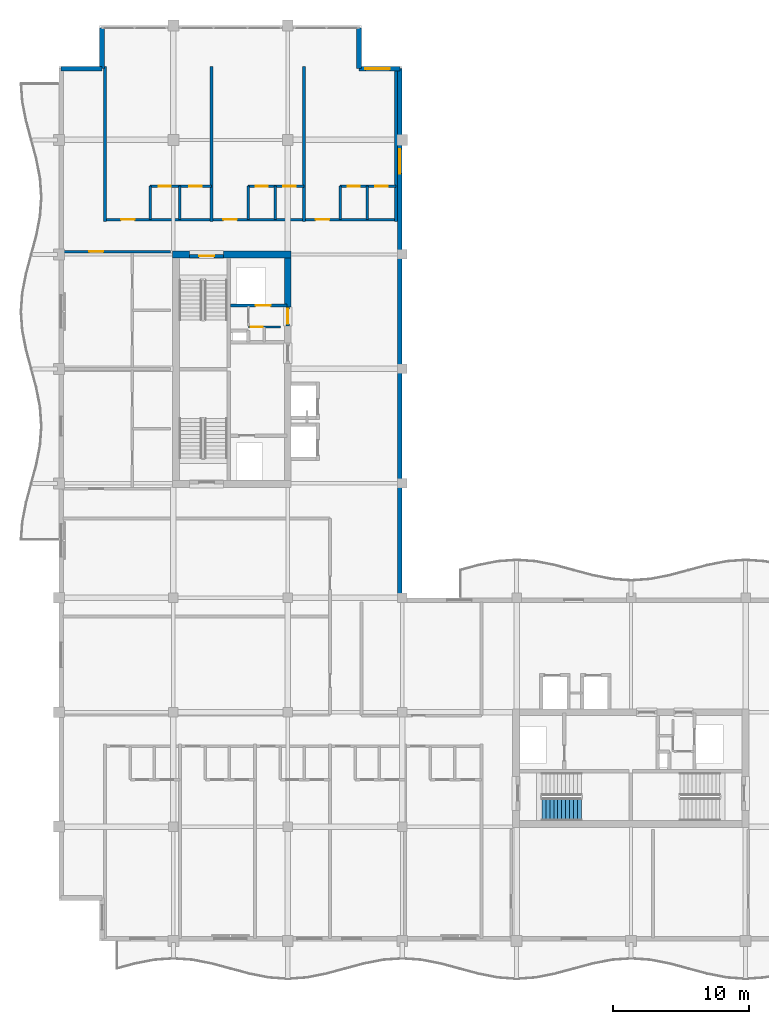
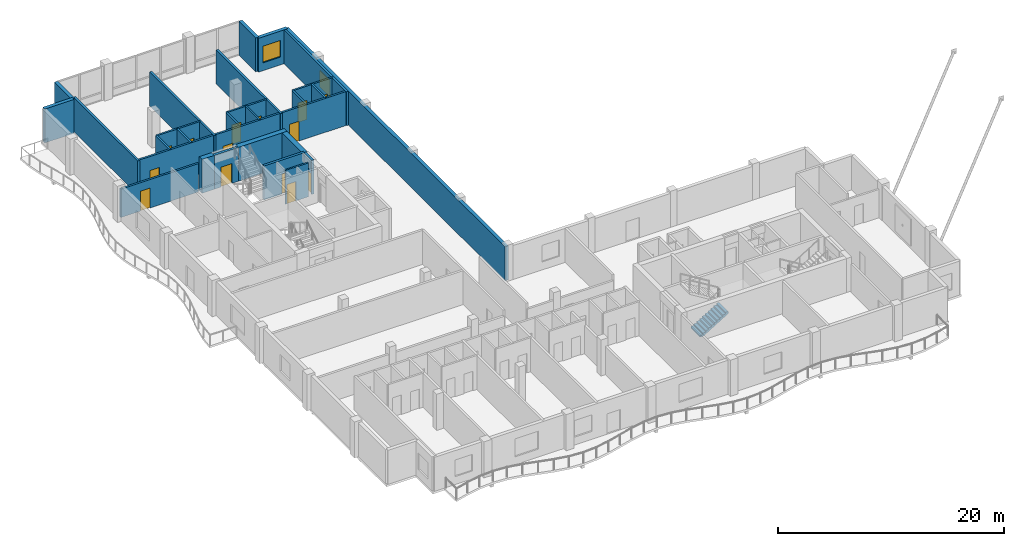
# One storey, part 11 of 17: 27 walls, 14 doors, 2 windows, 1 stair flight, 16 openings, 1 element without a shape of its own.
"""IFC4 building model written with IfcOpenShell, lengths in metres."""

from ifc_helpers import new_model, si_unit, direction, frame, frame_2d, origin, place, context, subcontext, project, spatial, polyline, rectangle, outline, extrude, material, layer, layer_set, type_object, element, fill, aggregate, save


model = new_model("IFC4")

# Units and contexts
model_context = context("Model", 3, precision=1e-05, world=origin(), true_north=direction((0.0, 1.0)))
body_context = subcontext(model_context, "Body", "Model", "MODEL_VIEW")
ifc_project = project(units=[si_unit("LENGTHUNIT", "METRE"), si_unit("AREAUNIT", "SQUARE_METRE"), si_unit("VOLUMEUNIT", "CUBIC_METRE"), si_unit("PLANEANGLEUNIT", "RADIAN"), si_unit("MASSUNIT", "GRAM", prefix="KILO")], contexts=[model_context])

# Site, building, storey
site_placement = place(None, origin())
site = spatial("IfcSite", under=ifc_project, at=site_placement, CompositionType="ELEMENT")
building_placement = place(site_placement, origin())
building = spatial("IfcBuilding", under=site, at=building_placement, Name="Koriwani Terraces Tower", CompositionType="ELEMENT")
storey_placement = place(building_placement, frame((0.0, 0.0, 347.60009765625)))
storey = spatial("IfcBuildingStorey", under=building, at=storey_placement, Name="L86", CompositionType="ELEMENT", Elevation=347.60009765625)

# Walls
ifc_material_1 = material(Name="Concrete C50/60", Category="concrete")
ifc_layer_1 = layer(ifc_material_1, 0.5, Name="Concrete C50/60")
ifc_layer_set_1 = layer_set([ifc_layer_1], Name="Concrete C50/60")
wall_type_1 = type_object("IfcWallType", Name="WALL_CORE_RC_500", PredefinedType="SHEAR", material=ifc_layer_set_1)
wall_1_placement = place(storey_placement, frame((16.75, 58.800048828125, 0.0), z_axis=(0.0, 0.0, 1.0), x_axis=(1.0, 0.0, 0.0)))
element("IfcWall", 1, at=wall_1_placement, inside=storey, type_object=wall_type_1, Name="L86 West Split Core Shear Wall N1", PredefinedType="SHEAR", context=body_context, shape_type="SweptSolid", body=[
    extrude(rectangle(XDim=1.25, YDim=0.5, at=frame_2d((0.625, 0.0))), origin(), (0.0, 0.0, 1.0), 3.669921875),
])
wall_2_placement = place(storey_placement, frame((20.5, 58.800048828125, 0.0), z_axis=(0.0, 0.0, 1.0), x_axis=(1.0, 0.0, 0.0)))
element("IfcWall", 2, at=wall_2_placement, inside=storey, type_object=wall_type_1, Name="L86 West Split Core Shear Wall N2", PredefinedType="SHEAR", context=body_context, shape_type="SweptSolid", body=[
    extrude(rectangle(XDim=4.949951171875, YDim=0.5, at=frame_2d((2.47509765625, 0.0))), origin(), (0.0, 0.0, 1.0), 3.669921875),
])
wall_3_placement = place(storey_placement, frame((25.199951171875, 54.949951171875, 0.0), z_axis=(0.0, 0.0, 1.0), x_axis=(0.0, 1.0, 0.0)))
element("IfcWall", 3, at=wall_3_placement, inside=storey, type_object=wall_type_1, Name="L86 West Split Core Shear Wall E3", PredefinedType="SHEAR", context=body_context, shape_type="SweptSolid", body=[
    extrude(rectangle(XDim=3.60009765625, YDim=0.5, at=frame_2d((1.800048828125, 0.0))), origin(), (0.0, 0.0, 1.0), 3.669921875),
])

# Wall, opening, door
ifc_material_2 = material(Name="Autoclaved Cellular Concrete Blockwork", Category="masonry")
ifc_layer_2 = layer(ifc_material_2, 0.199951171875, Name="Autoclaved Cellular Concrete Blockwork")
ifc_layer_set_2 = layer_set([ifc_layer_2], Name="Autoclaved Cellular Concrete Blockwork")
wall_type_2 = type_object("IfcWallType", Name="WALL_CORRIDOR_200", PredefinedType="PARTITIONING", material=ifc_layer_set_2)
wall_4_placement = place(storey_placement, frame((8.64990234375, 59.0, 0.0), z_axis=(0.0, 0.0, 1.0), x_axis=(1.0, 0.0, 0.0)))
wall_4 = element("IfcWall", 4, at=wall_4_placement, inside=storey, type_object=wall_type_2, Name="L86 Interior Wall WRZ4-WN-L86", PredefinedType="PARTITIONING", context=body_context, shape_type="SweptSolid", body=[
    extrude(rectangle(XDim=7.9501953125, YDim=0.199951171875, at=frame_2d((3.97509765625, 0.0))), origin(), (0.0, 0.0, 1.0), 3.06982421875),
])
opening_1_placement = place(wall_4_placement, frame((2.0, 0.0, 0.0)))
opening_1 = element("IfcOpeningElement", 5, at=opening_1_placement, cuts=wall_4, Name="Opening D-05", PredefinedType="OPENING", context=body_context, shape_type="SweptSolid", body=[
    extrude(rectangle(XDim=1.0, YDim=2.14990234375, at=frame_2d((0.5, 1.074951171875))), frame((0.0, 0.10986328125, 0.0), z_axis=(0.0, -1.0, 0.0), x_axis=(1.0, 0.0, 0.0)), (0.0, 0.0, 1.0), 0.219970703125),
])
ifc_material_3 = material(Name="Architectural Oak Fire Door", Category="wood")
door_type_1 = type_object("IfcDoorType", Name="DOOR_SUITE_ENTRY_1000X2150", OperationType="NOTDEFINED", PredefinedType="DOOR", material=ifc_material_3)
door_1_placement = place(opening_1_placement, origin())
door_1 = element("IfcDoor", 6, at=door_1_placement, inside=storey, type_object=door_type_1, Name="Apartment 86RW2 Entrance Door", OperationType="SINGLE_SWING_RIGHT", OverallHeight=2.14990234375, OverallWidth=1.0, PredefinedType="DOOR", context=body_context, shape_type="SweptSolid", body=[
    extrude(rectangle(XDim=1.0, YDim=2.14990234375, at=frame_2d((0.5, 1.074951171875))), frame((0.0, 0.02490234375, 0.0), z_axis=(0.0, -1.0, 0.0), x_axis=(1.0, 0.0, 0.0)), (0.0, 0.0, 1.0), 0.050048828125),
])
fill(opening_1, door_1)

# Wall, openings, doors
wall_5_placement = place(storey_placement, frame((11.800048828125, 61.35009765625, 0.0), z_axis=(0.0, 0.0, 1.0), x_axis=(1.0, 0.0, 0.0)))
wall_5 = element("IfcWall", 7, at=wall_5_placement, inside=storey, type_object=wall_type_2, Name="L86 Interior Wall WRCOR-L86-NTS-0", PredefinedType="PARTITIONING", context=body_context, shape_type="SweptSolid", body=[
    extrude(rectangle(XDim=21.349853515625, YDim=0.199951171875, at=frame_2d((10.6748046875, 0.0))), origin(), (0.0, 0.0, 1.0), 3.669921875),
])
opening_2_placement = place(wall_5_placement, frame((1.169921875, 0.0, 0.0)))
opening_2 = element("IfcOpeningElement", 8, at=opening_2_placement, cuts=wall_5, Name="Opening D-05", PredefinedType="OPENING", context=body_context, shape_type="SweptSolid", body=[
    extrude(rectangle(XDim=1.0, YDim=2.14990234375, at=frame_2d((0.5, 1.074951171875))), frame((0.0, 0.10986328125, 0.0), z_axis=(0.0, -1.0, 0.0), x_axis=(1.0, 0.0, 0.0)), (0.0, 0.0, 1.0), 0.219970703125),
])
opening_3_placement = place(wall_5_placement, frame((8.669921875, 0.0, 0.0)))
opening_3 = element("IfcOpeningElement", 9, at=opening_3_placement, cuts=wall_5, Name="Opening D-05", PredefinedType="OPENING", context=body_context, shape_type="SweptSolid", body=[
    extrude(rectangle(XDim=1.0, YDim=2.14990234375, at=frame_2d((0.5, 1.074951171875))), frame((0.0, 0.10986328125, 0.0), z_axis=(0.0, -1.0, 0.0), x_axis=(1.0, 0.0, 0.0)), (0.0, 0.0, 1.0), 0.219970703125),
])
opening_4_placement = place(wall_5_placement, frame((15.445068359375, 0.0, 0.0)))
opening_4 = element("IfcOpeningElement", 10, at=opening_4_placement, cuts=wall_5, Name="Opening D-05", PredefinedType="OPENING", context=body_context, shape_type="SweptSolid", body=[
    extrude(rectangle(XDim=1.0, YDim=2.14990234375, at=frame_2d((0.5, 1.074951171875))), frame((0.0, 0.10986328125, 0.0), z_axis=(0.0, -1.0, 0.0), x_axis=(1.0, 0.0, 0.0)), (0.0, 0.0, 1.0), 0.219970703125),
])
door_2_placement = place(opening_2_placement, origin())
door_2 = element("IfcDoor", 11, at=door_2_placement, inside=storey, type_object=door_type_1, Name="Apartment 86NTS1 Entrance Door", OperationType="SINGLE_SWING_RIGHT", OverallHeight=2.14990234375, OverallWidth=1.0, PredefinedType="DOOR", context=body_context, shape_type="SweptSolid", body=[
    extrude(rectangle(XDim=1.0, YDim=2.14990234375, at=frame_2d((0.5, 1.074951171875))), frame((0.0, 0.02490234375, 0.0), z_axis=(0.0, -1.0, 0.0), x_axis=(1.0, 0.0, 0.0)), (0.0, 0.0, 1.0), 0.050048828125),
])
fill(opening_2, door_2)
door_3_placement = place(opening_3_placement, origin())
door_3 = element("IfcDoor", 12, at=door_3_placement, inside=storey, type_object=door_type_1, Name="Apartment 86NTS2 Entrance Door", OperationType="SINGLE_SWING_LEFT", OverallHeight=2.14990234375, OverallWidth=1.0, PredefinedType="DOOR", context=body_context, shape_type="SweptSolid", body=[
    extrude(rectangle(XDim=1.0, YDim=2.14990234375, at=frame_2d((0.5, 1.074951171875))), frame((0.0, 0.02490234375, 0.0), z_axis=(0.0, -1.0, 0.0), x_axis=(1.0, 0.0, 0.0)), (0.0, 0.0, 1.0), 0.050048828125),
])
fill(opening_3, door_3)
door_4_placement = place(opening_4_placement, origin())
door_4 = element("IfcDoor", 13, at=door_4_placement, inside=storey, type_object=door_type_1, Name="Apartment 86NTS3 Entrance Door", OperationType="SINGLE_SWING_RIGHT", OverallHeight=2.14990234375, OverallWidth=1.0, PredefinedType="DOOR", context=body_context, shape_type="SweptSolid", body=[
    extrude(rectangle(XDim=1.0, YDim=2.14990234375, at=frame_2d((0.5, 1.074951171875))), frame((0.0, 0.02490234375, 0.0), z_axis=(0.0, -1.0, 0.0), x_axis=(1.0, 0.0, 0.0)), (0.0, 0.0, 1.0), 0.050048828125),
])
fill(opening_4, door_4)

# Walls
ifc_layer_3 = layer(ifc_material_2, 0.219970703125, Name="Autoclaved Cellular Concrete Blockwork")
ifc_layer_set_3 = layer_set([ifc_layer_3], Name="Autoclaved Cellular Concrete Blockwork")
wall_type_3 = type_object("IfcWallType", Name="WALL_DEMISING_220", PredefinedType="PARTITIONING", material=ifc_layer_set_3)
for number, where, z_axis, x_axis, name in (
    (14, (11.800048828125, 61.199951171875, 0.0), (0.0, 0.0, 1.0), (0.0, 1.0, 0.0), "L86 Interior Wall WRDEM-L86-NTS-0"),
    (15, (19.60009765625, 61.199951171875, 0.0), (0.0, 0.0, 1.0), (0.0, 1.0, 0.0), "L86 Interior Wall WRDEM-L86-NTS-1"),
    (16, (26.39990234375, 61.199951171875, 0.0), (0.0, 0.0, 1.0), (0.0, 1.0, 0.0), "L86 Interior Wall WRDEM-L86-NTS-2"),
    (17, (33.14990234375, 61.199951171875, 0.0), (0.0, 0.0, 1.0), (0.0, 1.0, 0.0), "L86 Interior Wall WRDEME-L86-NTS"),
):
    element("IfcWall", number, at=place(storey_placement, frame(where, z_axis=z_axis, x_axis=x_axis)), inside=storey, type_object=wall_type_3, Name=name, PredefinedType="PARTITIONING", context=body_context, shape_type="SweptSolid", body=[
        extrude(rectangle(XDim=11.380126953125, YDim=0.219970703125, at=frame_2d((5.68994140625, 0.0))), origin(), (0.0, 0.0, 1.0), 3.669921875),
    ])
ifc_layer_4 = layer(ifc_material_1, 0.35009765625, Name="Concrete C50/60")
ifc_layer_set_4 = layer_set([ifc_layer_4], Name="Concrete C50/60")
wall_type_4 = type_object("IfcWallType", Name="WALL_EXT_BRUTALIST_350", PredefinedType="STANDARD", material=ifc_layer_set_4)
for number, where, z_axis, x_axis, name in (
    (18, (8.574951171875, 72.425048828125, 0.0), (0.0, 0.0, 1.0), (1.0, 0.0, 0.0), "L86 Fair-Faced Brutalist Exterior Wall (N3)"),
    (19, (11.574951171875, 72.425048828125, 0.0), (0.0, 0.0, 1.0), (0.0, 1.0, 0.0), "L86 Fair-Faced Brutalist Exterior Wall (N4)"),
    (20, (30.425048828125, 75.425048828125, 0.0), (0.0, 0.0, 1.0), (0.0, -1.0, 0.0), "L86 Fair-Faced Brutalist Exterior Wall (N6)"),
):
    element("IfcWall", number, at=place(storey_placement, frame(where, z_axis=z_axis, x_axis=x_axis)), inside=storey, type_object=wall_type_4, Name=name, PredefinedType="STANDARD", context=body_context, shape_type="SweptSolid", body=[
        extrude(rectangle(XDim=3.0, YDim=0.35009765625, at=frame_2d((1.5, 0.0))), origin(), (0.0, 0.0, 1.0), 3.669921875),
    ])

# Wall, opening, window
wall_6_placement = place(storey_placement, frame((30.425048828125, 72.425048828125, 0.0), z_axis=(0.0, 0.0, 1.0), x_axis=(1.0, 0.0, 0.0)))
wall_6 = element("IfcWall", 21, at=wall_6_placement, inside=storey, type_object=wall_type_4, Name="L86 Fair-Faced Brutalist Exterior Wall (N7)", PredefinedType="STANDARD", context=body_context, shape_type="SweptSolid", body=[
    extrude(rectangle(XDim=3.0, YDim=0.35009765625, at=frame_2d((1.5, 0.0))), origin(), (0.0, 0.0, 1.0), 3.669921875),
])
opening_5_placement = place(wall_6_placement, frame((0.472412109375, 0.0, 0.85009765625)))
opening_5 = element("IfcOpeningElement", 22, at=opening_5_placement, cuts=wall_6, Name="Opening W-04", PredefinedType="OPENING", context=body_context, shape_type="SweptSolid", body=[
    extrude(rectangle(XDim=1.800048828125, YDim=1.800048828125, at=frame_2d((0.89990234375, 0.89990234375))), frame((0.0, 0.18505859375, 0.0), z_axis=(0.0, -1.0, 0.0), x_axis=(1.0, 0.0, 0.0)), (0.0, 0.0, 1.0), 0.3701171875),
])
ifc_material_4 = material(Name="Tempered Laminated Low-E Glass", Category="glass")
window_type = type_object("IfcWindowType", Name="WIN_RES_BED_1800X1800", PartitioningType="DOUBLE_PANEL_VERTICAL", PredefinedType="WINDOW", material=ifc_material_4)
window_1_placement = place(opening_5_placement, origin())
window_1 = element("IfcWindow", 23, at=window_1_placement, inside=storey, type_object=window_type, Name="L86 Exterior Window (N7-R56)", OverallHeight=1.800048828125, OverallWidth=1.800048828125, PartitioningType="SINGLE_PANEL", PredefinedType="WINDOW", context=body_context, shape_type="SweptSolid", body=[
    extrude(rectangle(XDim=1.800048828125, YDim=1.800048828125, at=frame_2d((0.89990234375, 0.89990234375))), frame((0.0, 0.030029296875, 0.0), z_axis=(0.0, -1.0, 0.0), x_axis=(1.0, 0.0, 0.0)), (0.0, 0.0, 1.0), 0.06005859375),
])
fill(opening_5, window_1)

wall_7_placement = place(storey_placement, frame((33.425048828125, 72.425048828125, 0.0), z_axis=(0.0, 0.0, 1.0), x_axis=(0.0, -1.0, 0.0)))
wall_7 = element("IfcWall", 24, at=wall_7_placement, inside=storey, type_object=wall_type_4, Name="L86 Fair-Faced Brutalist Exterior Wall (NW_IN)", PredefinedType="STANDARD", context=body_context, shape_type="SweptSolid", body=[
    extrude(rectangle(XDim=39.0, YDim=0.35009765625, at=frame_2d((19.5, 0.0))), origin(), (0.0, 0.0, 1.0), 3.669921875),
])
opening_6_placement = place(wall_7_placement, frame((5.89990234375, 0.0, 0.85009765625)))
opening_6 = element("IfcOpeningElement", 25, at=opening_6_placement, cuts=wall_7, Name="Opening W-04", PredefinedType="OPENING", context=body_context, shape_type="SweptSolid", body=[
    extrude(rectangle(XDim=1.800048828125, YDim=1.800048828125, at=frame_2d((0.89990234375, 0.89990234375))), frame((0.0, 0.18505859375, 0.0), z_axis=(0.0, -1.0, 0.0), x_axis=(1.0, 0.0, 0.0)), (0.0, 0.0, 1.0), 0.3701171875),
])
window_2_placement = place(opening_6_placement, origin())
window_2 = element("IfcWindow", 26, at=window_2_placement, inside=storey, type_object=window_type, Name="L86 Exterior Window (NW_IN-R56)", OverallHeight=1.800048828125, OverallWidth=1.800048828125, PartitioningType="SINGLE_PANEL", PredefinedType="WINDOW", context=body_context, shape_type="SweptSolid", body=[
    extrude(rectangle(XDim=1.800048828125, YDim=1.800048828125, at=frame_2d((0.89990234375, 0.89990234375))), frame((0.0, 0.030029296875, 0.0), z_axis=(0.0, -1.0, 0.0), x_axis=(1.0, 0.0, 0.0)), (0.0, 0.0, 1.0), 0.06005859375),
])
fill(opening_6, window_2)

# Wall, openings, doors
ifc_material_5 = material(Name="Fire-Rated Acoustic Gypsum Partition", Category="masonry")
ifc_layer_5 = layer(ifc_material_5, 0.179931640625, Name="Fire-Rated Acoustic Gypsum Partition")
ifc_layer_set_5 = layer_set([ifc_layer_5], Name="Fire-Rated Acoustic Gypsum Partition")
wall_type_5 = type_object("IfcWallType", Name="WALL_PLUMBING_180", PredefinedType="PLUMBINGWALL", material=ifc_layer_set_5)
wall_8_placement = place(storey_placement, frame((15.10009765625, 63.800048828125, 0.0), z_axis=(0.0, 0.0, 1.0), x_axis=(1.0, 0.0, 0.0)))
wall_8 = element("IfcWall", 27, at=wall_8_placement, inside=storey, type_object=wall_type_5, Name="L86 Interior Wall WRSVC-L86-NTS-0", PredefinedType="PLUMBINGWALL", context=body_context, shape_type="SweptSolid", body=[
    extrude(rectangle(XDim=4.5, YDim=0.179931640625, at=frame_2d((2.25, 0.0))), origin(), (0.0, 0.0, 1.0), 3.669921875),
])
opening_7_placement = place(wall_8_placement, frame((0.6298828125, 0.0, 0.0)))
opening_7 = element("IfcOpeningElement", 28, at=opening_7_placement, cuts=wall_8, Name="Opening D-07", PredefinedType="OPENING", context=body_context, shape_type="SweptSolid", body=[
    extrude(rectangle(XDim=0.89990234375, YDim=2.10009765625, at=frame_2d((0.449951171875, 1.050048828125))), frame((0.0, 0.10009765625, 0.0), z_axis=(0.0, -1.0, 0.0), x_axis=(1.0, 0.0, 0.0)), (0.0, 0.0, 1.0), 0.199951171875),
])
opening_8_placement = place(wall_8_placement, frame((2.8701171875, 0.0, 0.0)))
opening_8 = element("IfcOpeningElement", 29, at=opening_8_placement, cuts=wall_8, Name="Opening D-06", PredefinedType="OPENING", context=body_context, shape_type="SweptSolid", body=[
    extrude(rectangle(XDim=0.919921875, YDim=2.10009765625, at=frame_2d((0.4599609375, 1.050048828125))), frame((0.0, 0.10009765625, 0.0), z_axis=(0.0, -1.0, 0.0), x_axis=(1.0, 0.0, 0.0)), (0.0, 0.0, 1.0), 0.199951171875),
])
door_type_2 = type_object("IfcDoorType", Name="DOOR_BATH_INT_900X2100", OperationType="NOTDEFINED", PredefinedType="DOOR", material=ifc_material_3)
door_5_placement = place(opening_7_placement, origin())
door_5 = element("IfcDoor", 30, at=door_5_placement, inside=storey, type_object=door_type_2, Name="Apartment 86NTS1 Bathroom Door", OperationType="SINGLE_SWING_LEFT", OverallHeight=2.10009765625, OverallWidth=0.89990234375, PredefinedType="DOOR", context=body_context, shape_type="SweptSolid", body=[
    extrude(rectangle(XDim=0.89990234375, YDim=2.10009765625, at=frame_2d((0.449951171875, 1.050048828125))), frame((0.0, 0.02490234375, 0.0), z_axis=(0.0, -1.0, 0.0), x_axis=(1.0, 0.0, 0.0)), (0.0, 0.0, 1.0), 0.050048828125),
])
fill(opening_7, door_5)
door_type_3 = type_object("IfcDoorType", Name="DOOR_ROOM_INT_920X2100", OperationType="NOTDEFINED", PredefinedType="DOOR", material=ifc_material_3)
door_6_placement = place(opening_8_placement, origin())
door_6 = element("IfcDoor", 31, at=door_6_placement, inside=storey, type_object=door_type_3, Name="Apartment 86NTS1 Kitchen Door", OperationType="SINGLE_SWING_RIGHT", OverallHeight=2.10009765625, OverallWidth=0.919921875, PredefinedType="DOOR", context=body_context, shape_type="SweptSolid", body=[
    extrude(rectangle(XDim=0.919921875, YDim=2.10009765625, at=frame_2d((0.4599609375, 1.050048828125))), frame((0.0, 0.02490234375, 0.0), z_axis=(0.0, -1.0, 0.0), x_axis=(1.0, 0.0, 0.0)), (0.0, 0.0, 1.0), 0.050048828125),
])
fill(opening_8, door_6)

# Walls
for number, where, z_axis, x_axis, name in (
    (32, (15.10009765625, 61.35009765625, 0.0), (0.0, 0.0, 1.0), (0.0, 1.0, 0.0), "L86 Interior Wall WRSVCS-L86-NTS-0"),
    (33, (17.260009765625, 61.35009765625, 0.0), (0.0, 0.0, 1.0), (0.0, 1.0, 0.0), "L86 Interior Wall WRSVCM-L86-NTS-0"),
):
    element("IfcWall", number, at=place(storey_placement, frame(where, z_axis=z_axis, x_axis=x_axis)), inside=storey, type_object=wall_type_5, Name=name, PredefinedType="PLUMBINGWALL", context=body_context, shape_type="SweptSolid", body=[
        extrude(rectangle(XDim=2.449951171875, YDim=0.179931640625, at=frame_2d((1.22509765625, 0.0))), origin(), (0.0, 0.0, 1.0), 3.669921875),
    ])

# Wall, openings, doors
wall_9_placement = place(storey_placement, frame((22.300048828125, 63.800048828125, 0.0), z_axis=(0.0, 0.0, 1.0), x_axis=(1.0, 0.0, 0.0)))
wall_9 = element("IfcWall", 34, at=wall_9_placement, inside=storey, type_object=wall_type_5, Name="L86 Interior Wall WRSVC-L86-NTS-1", PredefinedType="PLUMBINGWALL", context=body_context, shape_type="SweptSolid", body=[
    extrude(rectangle(XDim=4.099853515625, YDim=0.179931640625, at=frame_2d((2.0498046875, 0.0))), origin(), (0.0, 0.0, 1.0), 3.669921875),
])
opening_9_placement = place(wall_9_placement, frame((0.533935546875, 0.0, 0.0)))
opening_9 = element("IfcOpeningElement", 35, at=opening_9_placement, cuts=wall_9, Name="Opening D-07", PredefinedType="OPENING", context=body_context, shape_type="SweptSolid", body=[
    extrude(rectangle(XDim=0.89990234375, YDim=2.10009765625, at=frame_2d((0.449951171875, 1.050048828125))), frame((0.0, 0.10009765625, 0.0), z_axis=(0.0, -1.0, 0.0), x_axis=(1.0, 0.0, 0.0)), (0.0, 0.0, 1.0), 0.199951171875),
])
opening_10_placement = place(wall_9_placement, frame((2.573974609375, 0.0, 0.0)))
opening_10 = element("IfcOpeningElement", 36, at=opening_10_placement, cuts=wall_9, Name="Opening D-06", PredefinedType="OPENING", context=body_context, shape_type="SweptSolid", body=[
    extrude(rectangle(XDim=0.919921875, YDim=2.10009765625, at=frame_2d((0.4599609375, 1.050048828125))), frame((0.0, 0.10009765625, 0.0), z_axis=(0.0, -1.0, 0.0), x_axis=(1.0, 0.0, 0.0)), (0.0, 0.0, 1.0), 0.199951171875),
])
door_7_placement = place(opening_9_placement, origin())
door_7 = element("IfcDoor", 37, at=door_7_placement, inside=storey, type_object=door_type_2, Name="Apartment 86NTS2 Bathroom Door", OperationType="SINGLE_SWING_RIGHT", OverallHeight=2.10009765625, OverallWidth=0.89990234375, PredefinedType="DOOR", context=body_context, shape_type="SweptSolid", body=[
    extrude(rectangle(XDim=0.89990234375, YDim=2.10009765625, at=frame_2d((0.449951171875, 1.050048828125))), frame((0.0, 0.02490234375, 0.0), z_axis=(0.0, -1.0, 0.0), x_axis=(1.0, 0.0, 0.0)), (0.0, 0.0, 1.0), 0.050048828125),
])
fill(opening_9, door_7)
door_8_placement = place(opening_10_placement, origin())
door_8 = element("IfcDoor", 38, at=door_8_placement, inside=storey, type_object=door_type_3, Name="Apartment 86NTS2 Kitchen Door", OperationType="SINGLE_SWING_LEFT", OverallHeight=2.10009765625, OverallWidth=0.919921875, PredefinedType="DOOR", context=body_context, shape_type="SweptSolid", body=[
    extrude(rectangle(XDim=0.919921875, YDim=2.10009765625, at=frame_2d((0.4599609375, 1.050048828125))), frame((0.0, 0.02490234375, 0.0), z_axis=(0.0, -1.0, 0.0), x_axis=(1.0, 0.0, 0.0)), (0.0, 0.0, 1.0), 0.050048828125),
])
fill(opening_10, door_8)

# Walls
for number, where, z_axis, x_axis, name in (
    (39, (22.300048828125, 61.35009765625, 0.0), (0.0, 0.0, 1.0), (0.0, 1.0, 0.0), "L86 Interior Wall WRSVCS-L86-NTS-1"),
    (40, (24.26806640625, 61.35009765625, 0.0), (0.0, 0.0, 1.0), (0.0, 1.0, 0.0), "L86 Interior Wall WRSVCM-L86-NTS-1"),
):
    element("IfcWall", number, at=place(storey_placement, frame(where, z_axis=z_axis, x_axis=x_axis)), inside=storey, type_object=wall_type_5, Name=name, PredefinedType="PLUMBINGWALL", context=body_context, shape_type="SweptSolid", body=[
        extrude(rectangle(XDim=2.449951171875, YDim=0.179931640625, at=frame_2d((1.22509765625, 0.0))), origin(), (0.0, 0.0, 1.0), 3.669921875),
    ])

# Wall, openings, doors
wall_10_placement = place(storey_placement, frame((29.050048828125, 63.800048828125, 0.0), z_axis=(0.0, 0.0, 1.0), x_axis=(1.0, 0.0, 0.0)))
wall_10 = element("IfcWall", 41, at=wall_10_placement, inside=storey, type_object=wall_type_5, Name="L86 Interior Wall WRSVC-L86-NTS-2", PredefinedType="PLUMBINGWALL", context=body_context, shape_type="SweptSolid", body=[
    extrude(rectangle(XDim=4.099853515625, YDim=0.179931640625, at=frame_2d((2.0498046875, 0.0))), origin(), (0.0, 0.0, 1.0), 3.669921875),
])
opening_11_placement = place(wall_10_placement, frame((0.533935546875, 0.0, 0.0)))
opening_11 = element("IfcOpeningElement", 42, at=opening_11_placement, cuts=wall_10, Name="Opening D-07", PredefinedType="OPENING", context=body_context, shape_type="SweptSolid", body=[
    extrude(rectangle(XDim=0.89990234375, YDim=2.10009765625, at=frame_2d((0.449951171875, 1.050048828125))), frame((0.0, 0.10009765625, 0.0), z_axis=(0.0, -1.0, 0.0), x_axis=(1.0, 0.0, 0.0)), (0.0, 0.0, 1.0), 0.199951171875),
])
opening_12_placement = place(wall_10_placement, frame((2.573974609375, 0.0, 0.0)))
opening_12 = element("IfcOpeningElement", 43, at=opening_12_placement, cuts=wall_10, Name="Opening D-06", PredefinedType="OPENING", context=body_context, shape_type="SweptSolid", body=[
    extrude(rectangle(XDim=0.919921875, YDim=2.10009765625, at=frame_2d((0.4599609375, 1.050048828125))), frame((0.0, 0.10009765625, 0.0), z_axis=(0.0, -1.0, 0.0), x_axis=(1.0, 0.0, 0.0)), (0.0, 0.0, 1.0), 0.199951171875),
])
door_9_placement = place(opening_11_placement, origin())
door_9 = element("IfcDoor", 44, at=door_9_placement, inside=storey, type_object=door_type_2, Name="Apartment 86NTS3 Bathroom Door", OperationType="SINGLE_SWING_LEFT", OverallHeight=2.10009765625, OverallWidth=0.89990234375, PredefinedType="DOOR", context=body_context, shape_type="SweptSolid", body=[
    extrude(rectangle(XDim=0.89990234375, YDim=2.10009765625, at=frame_2d((0.449951171875, 1.050048828125))), frame((0.0, 0.02490234375, 0.0), z_axis=(0.0, -1.0, 0.0), x_axis=(1.0, 0.0, 0.0)), (0.0, 0.0, 1.0), 0.050048828125),
])
fill(opening_11, door_9)
door_10_placement = place(opening_12_placement, origin())
door_10 = element("IfcDoor", 45, at=door_10_placement, inside=storey, type_object=door_type_3, Name="Apartment 86NTS3 Kitchen Door", OperationType="SINGLE_SWING_RIGHT", OverallHeight=2.10009765625, OverallWidth=0.919921875, PredefinedType="DOOR", context=body_context, shape_type="SweptSolid", body=[
    extrude(rectangle(XDim=0.919921875, YDim=2.10009765625, at=frame_2d((0.4599609375, 1.050048828125))), frame((0.0, 0.02490234375, 0.0), z_axis=(0.0, -1.0, 0.0), x_axis=(1.0, 0.0, 0.0)), (0.0, 0.0, 1.0), 0.050048828125),
])
fill(opening_12, door_10)

# Walls
for number, where, z_axis, x_axis, name in (
    (46, (29.050048828125, 61.35009765625, 0.0), (0.0, 0.0, 1.0), (0.0, 1.0, 0.0), "L86 Interior Wall WRSVCS-L86-NTS-2"),
    (47, (31.01806640625, 61.35009765625, 0.0), (0.0, 0.0, 1.0), (0.0, 1.0, 0.0), "L86 Interior Wall WRSVCM-L86-NTS-2"),
):
    element("IfcWall", number, at=place(storey_placement, frame(where, z_axis=z_axis, x_axis=x_axis)), inside=storey, type_object=wall_type_5, Name=name, PredefinedType="PLUMBINGWALL", context=body_context, shape_type="SweptSolid", body=[
        extrude(rectangle(XDim=2.449951171875, YDim=0.179931640625, at=frame_2d((1.22509765625, 0.0))), origin(), (0.0, 0.0, 1.0), 3.669921875),
    ])

# Wall, opening, door
ifc_material_6 = material(Name="Concrete C40/50", Category="concrete")
ifc_layer_6 = layer(ifc_material_6, 0.25, Name="Concrete C40/50")
ifc_layer_set_6 = layer_set([ifc_layer_6], Name="Concrete C40/50")
wall_type_6 = type_object("IfcWallType", Name="WALL_SHAFT_RATED_250", PredefinedType="SOLIDWALL", material=ifc_layer_set_6)
wall_11_placement = place(storey_placement, frame((18.0, 58.675048828125, 0.0), z_axis=(0.0, 0.0, 1.0), x_axis=(1.0, 0.0, 0.0)))
wall_11 = element("IfcWall", 48, at=wall_11_placement, inside=storey, type_object=wall_type_6, Name="L86 Interior Wall WIN-CW-L86-STN", PredefinedType="SOLIDWALL", context=body_context, shape_type="SweptSolid", body=[
    extrude(rectangle(XDim=2.5, YDim=0.25, at=frame_2d((1.25, 0.0))), origin(), (0.0, 0.0, 1.0), 3.669921875),
])
opening_13_placement = place(wall_11_placement, frame((0.699951171875, 0.0, 0.0)))
opening_13 = element("IfcOpeningElement", 49, at=opening_13_placement, cuts=wall_11, Name="Opening D-03", PredefinedType="OPENING", context=body_context, shape_type="SweptSolid", body=[
    extrude(rectangle(XDim=1.10009765625, YDim=2.14990234375, at=frame_2d((0.550048828125, 1.074951171875))), frame((0.0, 0.135009765625, 0.0), z_axis=(0.0, -1.0, 0.0), x_axis=(1.0, 0.0, 0.0)), (0.0, 0.0, 1.0), 0.27001953125),
])
ifc_material_7 = material(Name="Steel ASTM A572 Grade 50", Category="steel")
door_type_4 = type_object("IfcDoorType", Name="DOOR_STAIR_FIRE_1100X2150", OperationType="NOTDEFINED", PredefinedType="DOOR", material=ifc_material_7)
door_11_placement = place(opening_13_placement, origin())
door_11 = element("IfcDoor", 50, at=door_11_placement, inside=storey, type_object=door_type_4, Name="L86 Exit Stair ST-W2 Door", OperationType="SINGLE_SWING_LEFT", OverallHeight=2.14990234375, OverallWidth=1.10009765625, PredefinedType="DOOR", context=body_context, shape_type="SweptSolid", body=[
    extrude(rectangle(XDim=1.10009765625, YDim=2.14990234375, at=frame_2d((0.550048828125, 1.074951171875))), frame((0.0, 0.02490234375, 0.0), z_axis=(0.0, -1.0, 0.0), x_axis=(1.0, 0.0, 0.0)), (0.0, 0.0, 1.0), 0.050048828125),
])
fill(opening_13, door_11)

wall_12_placement = place(storey_placement, frame((21.0, 55.050048828125, 0.0), z_axis=(0.0, 0.0, 1.0), x_axis=(1.0, 0.0, 0.0)))
wall_12 = element("IfcWall", 51, at=wall_12_placement, inside=storey, type_object=wall_type_6, Name="L86 Interior Wall WIN-CW-L86-SE", PredefinedType="SOLIDWALL", context=body_context, shape_type="SweptSolid", body=[
    extrude(rectangle(XDim=4.14990234375, YDim=0.25, at=frame_2d((2.074951171875, 0.0))), origin(), (0.0, 0.0, 1.0), 3.669921875),
])
opening_14_placement = place(wall_12_placement, frame((1.85009765625, 0.0, 0.0)))
opening_14 = element("IfcOpeningElement", 52, at=opening_14_placement, cuts=wall_12, Name="Opening LD-01", PredefinedType="OPENING", context=body_context, shape_type="SweptSolid", body=[
    extrude(rectangle(XDim=1.10009765625, YDim=2.14990234375, at=frame_2d((0.550048828125, 1.074951171875))), frame((0.0, 0.135009765625, 0.0), z_axis=(0.0, -1.0, 0.0), x_axis=(1.0, 0.0, 0.0)), (0.0, 0.0, 1.0), 0.27001953125),
])
door_type_5 = type_object("IfcDoorType", Name="DOOR_LIFT_LANDING_1100X2200", OperationType="NOTDEFINED", PredefinedType="DOOR", material=ifc_material_7)
door_12_placement = place(opening_14_placement, origin())
door_12 = element("IfcDoor", 53, at=door_12_placement, inside=storey, type_object=door_type_5, Name="L86 Goods Lift SE-01 Landing Door", OperationType="SLIDING_TO_LEFT", OverallHeight=2.14990234375, OverallWidth=1.10009765625, PredefinedType="DOOR", context=body_context, shape_type="SweptSolid", body=[
    extrude(rectangle(XDim=1.10009765625, YDim=2.14990234375, at=frame_2d((0.550048828125, 1.074951171875))), frame((0.0, 0.02490234375, 0.0), z_axis=(0.0, -1.0, 0.0), x_axis=(1.0, 0.0, 0.0)), (0.0, 0.0, 1.0), 0.050048828125),
])
fill(opening_14, door_12)

wall_13_placement = place(storey_placement, frame((25.199951171875, 53.550048828125, 0.0), z_axis=(0.0, 0.0, 1.0), x_axis=(0.0, 1.0, 0.0)))
wall_13 = element("IfcWall", 54, at=wall_13_placement, inside=storey, type_object=wall_type_6, Name="L86 Interior Wall WIN-CW-L86-EP2", PredefinedType="SOLIDWALL", context=body_context, shape_type="SweptSolid", body=[
    extrude(rectangle(XDim=1.39990234375, YDim=0.25, at=frame_2d((0.699951171875, 0.0))), origin(), (0.0, 0.0, 1.0), 3.669921875),
])
opening_15_placement = place(wall_13_placement, frame((0.14990234375, 0.0, 0.0)))
opening_15 = element("IfcOpeningElement", 55, at=opening_15_placement, cuts=wall_13, Name="Opening D-03", PredefinedType="OPENING", context=body_context, shape_type="SweptSolid", body=[
    extrude(rectangle(XDim=1.10009765625, YDim=2.14990234375, at=frame_2d((0.550048828125, 1.074951171875))), frame((0.0, 0.135009765625, 0.0), z_axis=(0.0, -1.0, 0.0), x_axis=(1.0, 0.0, 0.0)), (0.0, 0.0, 1.0), 0.27001953125),
])
door_13_placement = place(opening_15_placement, origin())
door_13 = element("IfcDoor", 56, at=door_13_placement, inside=storey, type_object=door_type_4, Name="L86 West Goods Lift Lobby Door", OperationType="SINGLE_SWING_LEFT", OverallHeight=2.14990234375, OverallWidth=1.10009765625, PredefinedType="DOOR", context=body_context, shape_type="SweptSolid", body=[
    extrude(rectangle(XDim=1.10009765625, YDim=2.14990234375, at=frame_2d((0.550048828125, 1.074951171875))), frame((0.0, 0.02490234375, 0.0), z_axis=(0.0, -1.0, 0.0), x_axis=(1.0, 0.0, 0.0)), (0.0, 0.0, 1.0), 0.050048828125),
])
fill(opening_15, door_13)

ifc_layer_7 = layer(ifc_material_5, 0.159912109375, Name="Fire-Rated Acoustic Gypsum Partition")
ifc_layer_set_7 = layer_set([ifc_layer_7], Name="Fire-Rated Acoustic Gypsum Partition")
wall_type_7 = type_object("IfcWallType", Name="WALL_SUITE_160", PredefinedType="PARTITIONING", material=ifc_layer_set_7)
wall_14_placement = place(storey_placement, frame((22.320068359375, 53.4599609375, 0.0), z_axis=(0.0, 0.0, 1.0), x_axis=(1.0, 0.0, 0.0)))
wall_14 = element("IfcWall", 57, at=wall_14_placement, inside=storey, type_object=wall_type_7, Name="L86 Interior Wall WIN-CW-L86-SV2H", PredefinedType="PARTITIONING", context=body_context, shape_type="SweptSolid", body=[
    extrude(rectangle(XDim=2.35986328125, YDim=0.159912109375, at=frame_2d((1.179931640625, 0.0))), origin(), (0.0, 0.0, 1.0), 3.669921875),
])
opening_16_placement = place(wall_14_placement, frame((0.159912109375, 0.0, 0.0)))
opening_16 = element("IfcOpeningElement", 58, at=opening_16_placement, cuts=wall_14, Name="Opening D-07", PredefinedType="OPENING", context=body_context, shape_type="SweptSolid", body=[
    extrude(rectangle(XDim=0.89990234375, YDim=2.10009765625, at=frame_2d((0.449951171875, 1.050048828125))), frame((0.0, 0.08984375, 0.0), z_axis=(0.0, -1.0, 0.0), x_axis=(1.0, 0.0, 0.0)), (0.0, 0.0, 1.0), 0.179931640625),
])
door_14_placement = place(opening_16_placement, origin())
door_14 = element("IfcDoor", 59, at=door_14_placement, inside=storey, type_object=door_type_2, Name="L86 West Valve Room Door", OperationType="SINGLE_SWING_LEFT", OverallHeight=2.10009765625, OverallWidth=0.89990234375, PredefinedType="DOOR", context=body_context, shape_type="SweptSolid", body=[
    extrude(rectangle(XDim=0.89990234375, YDim=2.10009765625, at=frame_2d((0.449951171875, 1.050048828125))), frame((0.0, 0.02490234375, 0.0), z_axis=(0.0, -1.0, 0.0), x_axis=(1.0, 0.0, 0.0)), (0.0, 0.0, 1.0), 0.050048828125),
])
fill(opening_16, door_14)

# Stair, stair flight
stair_type = type_object("IfcStairType", Name="STAIR_CORE_DOGLEG_1650", PredefinedType="TWO_STRAIGHT_RUN_STAIR", material=ifc_material_6)
stair_placement = place(storey_placement, origin())
stair = element("IfcStair", 60, at=stair_placement, inside=storey, type_object=stair_type, Name="L86 East Core Exit Stair 1", PredefinedType="HALF_TURN_STAIR")
stair_flight_type = type_object("IfcStairFlightType", Name="STAIR_FLIGHT_RC_1650", PredefinedType="STRAIGHT", material=ifc_material_6)
stair_flight_placement = place(storey_placement, frame((43.85009765625, 18.074951171875, 0.0), z_axis=(0.0, 0.0, 1.0), x_axis=(1.0, 0.0, 0.0)))
stair_flight = element("IfcStairFlight", 61, at=stair_flight_placement, type_object=stair_flight_type, Name="ST-E1 flight 1", NumberOfRisers=11, NumberOfTreads=10, PredefinedType="STRAIGHT", RiserHeight=0.177272727, TreadLength=0.29, context=body_context, shape_type="SweptSolid", body=[
    extrude(outline(polyline([(0.0, 0.0), (0.0, 0.17724609375), (0.2900390625, 0.17724609375), (0.2900390625, 0.3544921875), (0.580078125, 0.3544921875), (0.580078125, 0.53173828125), (0.8701171875, 0.53173828125), (0.8701171875, 0.708984375), (1.159912109375, 0.708984375), (1.159912109375, 0.886474609375), (1.449951171875, 0.886474609375), (1.449951171875, 1.063720703125), (1.739990234375, 1.063720703125), (1.739990234375, 1.240966796875), (2.030029296875, 1.240966796875), (2.030029296875, 1.418212890625), (2.320068359375, 1.418212890625), (2.320068359375, 1.595458984375), (2.610107421875, 1.595458984375), (2.610107421875, 1.772705078125), (2.89990234375, 1.772705078125), (2.89990234375, 1.949951171875), (2.89990234375, 1.561767578125), (0.344970703125, 0.0), (0.0, 0.0)])), frame((0.0, 0.824951171875, 0.0), z_axis=(0.0, -1.0, 0.0), x_axis=(1.0, 0.0, 0.0)), (0.0, 0.0, 1.0), 1.64990234375),
])
aggregate(stair, [stair_flight])

save(model, "model.ifc")
